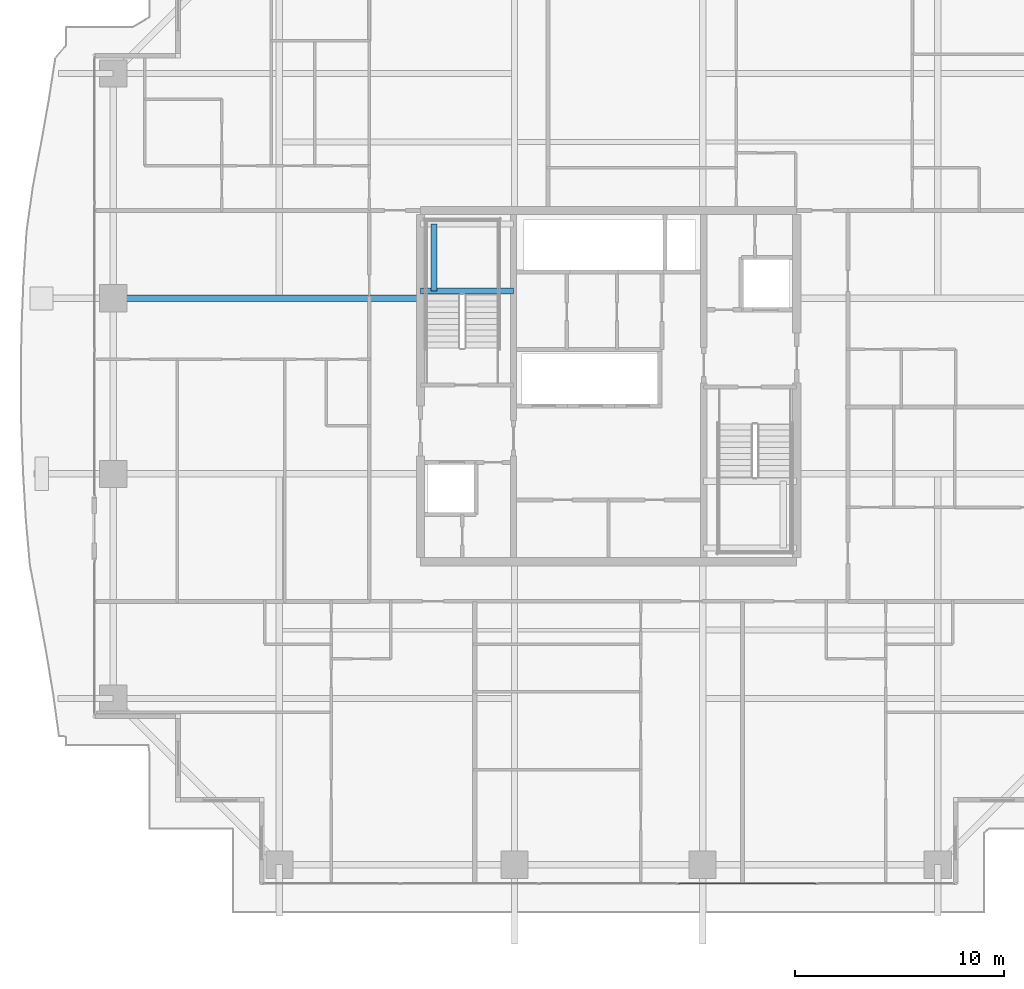
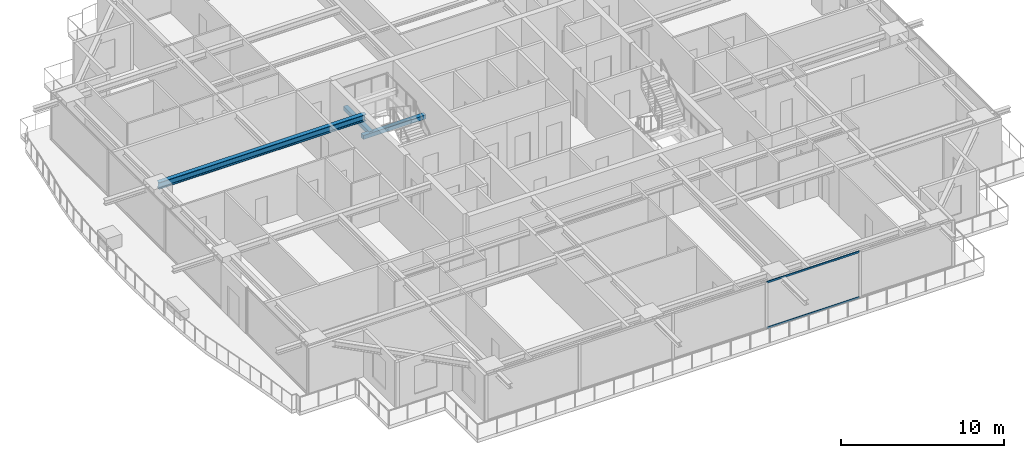
# One storey, part 11 of 37: 3 beams, 2 members, 1 element without a shape of its own.
"""IFC4 building model written with IfcOpenShell, lengths in metres."""

from ifc_helpers import new_model, si_unit, direction, frame, origin, origin_2d, place, context, subcontext, project, spatial, rectangle, hollow_rectangle, i_section, extrude, source, transform, mapped, material, layer, layer_set, material_profile, profile_set, type_object, element, aggregate, save


model = new_model("IFC4")

# Units and contexts
model_context = context("Model", 3, precision=1e-05, world=origin(), true_north=direction((0.0, 1.0)))
body_context = subcontext(model_context, "Body", "Model", "MODEL_VIEW")
ifc_project = project(units=[si_unit("LENGTHUNIT", "METRE"), si_unit("AREAUNIT", "SQUARE_METRE"), si_unit("VOLUMEUNIT", "CUBIC_METRE"), si_unit("PLANEANGLEUNIT", "RADIAN"), si_unit("MASSUNIT", "GRAM", prefix="KILO")], contexts=[model_context])

# Site, building, storey
site_placement = place(None, origin())
site = spatial("IfcSite", under=ifc_project, at=site_placement, CompositionType="ELEMENT")
building_placement = place(site_placement, origin())
building = spatial("IfcBuilding", under=site, at=building_placement, Name="Serunith Strait Residences", CompositionType="ELEMENT")
storey_placement = place(building_placement, frame((0.0, 0.0, 138.89990234375)))
storey = spatial("IfcBuildingStorey", under=building, at=storey_placement, Name="L34", CompositionType="ELEMENT", Elevation=138.89990234375)

# Beams
ifc_material_1 = material(Name="Steel S355J2", Category="steel")
ifc_material_profile_1 = material_profile(ifc_material_1, i_section(OverallWidth=0.300048828125, OverallDepth=0.5, WebThickness=0.014404296875, FlangeThickness=0.028076171875, FilletRadius=0.027099609375, at=origin_2d()), Name="HEB 500")
ifc_profile_set_1 = profile_set([ifc_material_profile_1], Name="Steel S355J2")
beam_type_1 = type_object("IfcBeamType", Name="BM-HEB500", PredefinedType="BEAM", material=ifc_profile_set_1)
shared_shape_1 = source(origin(), body_context, "Body", "SweptSolid", [
    extrude(i_section(OverallWidth=0.300048828125, OverallDepth=0.5, WebThickness=0.014404296875, FlangeThickness=0.028076171875, FilletRadius=0.027099609375, at=origin_2d()), origin(), (0.0, 0.0, 1.0), 14.699951171875),
])
beam_1_placement = place(storey_placement, frame((23.39990234375, 29.39990234375, 3.237060546875), z_axis=(-1.0, 0.0, 0.0), x_axis=(0.0, -1.0, 0.0)))
element("IfcBeam", 1, at=beam_1_placement, inside=storey, type_object=beam_type_1, Name="L34 Primary Floor Girder TC-W3", PredefinedType="BEAM", context=body_context, shape_type="MappedRepresentation", body=[
    mapped(shared_shape_1, transform((0.0, 0.0, 0.0), scale=1.0)),
])
ifc_material_2 = material(Name="Concrete C60/75", Category="concrete")
ifc_material_profile_2 = material_profile(ifc_material_2, rectangle(XDim=0.300048828125, YDim=0.300048828125, at=origin_2d()), Name="RC 300x300")
ifc_profile_set_2 = profile_set([ifc_material_profile_2], Name="Concrete C60/75")
beam_type_2 = type_object("IfcBeamType", Name="BM-LAND-300x300", PredefinedType="BEAM", material=ifc_profile_set_2)
shared_shape_2 = source(origin(), body_context, "Body", "SweptSolid", [
    extrude(rectangle(XDim=0.300048828125, YDim=0.300048828125, at=origin_2d()), origin(), (0.0, 0.0, 1.0), 4.4501953125),
])
beam_2_placement = place(storey_placement, frame((23.39990234375, 29.75, 1.525146484375), z_axis=(1.0, 0.0, 0.0), x_axis=(0.0, 1.0, 0.0)))
element("IfcBeam", 2, at=beam_2_placement, inside=storey, type_object=beam_type_2, Name="L34 ST-1 Landing Support Beam 1", PredefinedType="BEAM", context=body_context, shape_type="MappedRepresentation", body=[
    mapped(shared_shape_2, transform((0.0, 0.0, 0.0), scale=1.0)),
])
shared_shape_3 = source(origin(), body_context, "Body", "SweptSolid", [
    extrude(rectangle(XDim=0.300048828125, YDim=0.300048828125, at=origin_2d()), origin(), (0.0, 0.0, 1.0), 3.199951171875),
])
beam_3_placement = place(storey_placement, frame((24.050048828125, 29.75, 1.525146484375), z_axis=(0.0, 1.0, 0.0), x_axis=(-1.0, 0.0, 0.0)))
element("IfcBeam", 3, at=beam_3_placement, inside=storey, type_object=beam_type_2, Name="L34 ST-1 Landing Transverse Tie Beam", PredefinedType="BEAM", context=body_context, shape_type="MappedRepresentation", body=[
    mapped(shared_shape_3, transform((0.0, 0.0, 0.0), scale=1.0)),
])

# Curtain wall, members
ifc_material_3 = material(Name="Pale-Champagne Anodised Aluminium", Category="aluminium")
ifc_layer = layer(ifc_material_3, 0.199951171875, Name="Pale-Champagne Anodised Aluminium")
ifc_layer_set = layer_set([ifc_layer], Name="Pale-Champagne Anodised Aluminium")
curtain_wall_type = type_object("IfcCurtainWallType", Name="CW-SYS2", PredefinedType="NOTDEFINED", material=ifc_layer_set)
curtain_wall_placement = place(storey_placement, origin())
curtain_wall = element("IfcCurtainWall", 4, at=curtain_wall_placement, inside=storey, type_object=curtain_wall_type, Name="L34 S Unitised Fritted Curtain Wall", PredefinedType="NOTDEFINED")
ifc_material_profile_3 = material_profile(ifc_material_3, hollow_rectangle(XDim=0.06005859375, YDim=0.139892578125, WallThickness=0.00341796875, InnerFilletRadius=0.00537109375, OuterFilletRadius=0.0087890625, at=origin_2d()), Name="ALU 140x60x3.5")
ifc_profile_set_3 = profile_set([ifc_material_profile_3], Name="Pale-Champagne Anodised Aluminium")
member_type = type_object("IfcMemberType", Name="CW-SYS2-TRAN", PredefinedType="USERDEFINED", material=ifc_profile_set_3)
shared_shape_4 = source(origin(), body_context, "Body", "SweptSolid", [
    extrude(hollow_rectangle(XDim=0.06005859375, YDim=0.139892578125, WallThickness=0.00341796875, InnerFilletRadius=0.00537109375, OuterFilletRadius=0.0087890625, at=origin_2d()), origin(), (0.0, 0.0, 1.0), 6.570068359375),
])
member_1_placement = place(storey_placement, frame((35.7548828125, 1.39990234375, 0.030029296875), z_axis=(1.0, 0.0, 0.0), x_axis=(0.0, 1.0, 0.0)))
member_1 = element("IfcMember", 5, at=member_1_placement, type_object=member_type, Name="CW-2 transom 4.1", ObjectType="TRANSOM", PredefinedType="USERDEFINED", context=body_context, shape_type="MappedRepresentation", body=[
    mapped(shared_shape_4, transform((0.0, 0.0, 0.0), scale=1.0)),
])
member_2_placement = place(storey_placement, frame((35.7548828125, 1.39990234375, 3.445068359375), z_axis=(1.0, 0.0, 0.0), x_axis=(0.0, 1.0, 0.0)))
member_2 = element("IfcMember", 6, at=member_2_placement, type_object=member_type, Name="CW-2 transom 4.2", ObjectType="TRANSOM", PredefinedType="USERDEFINED", context=body_context, shape_type="MappedRepresentation", body=[
    mapped(shared_shape_4, transform((0.0, 0.0, 0.0), scale=1.0)),
])
aggregate(curtain_wall, [member_1, member_2])

save(model, "model.ifc")
